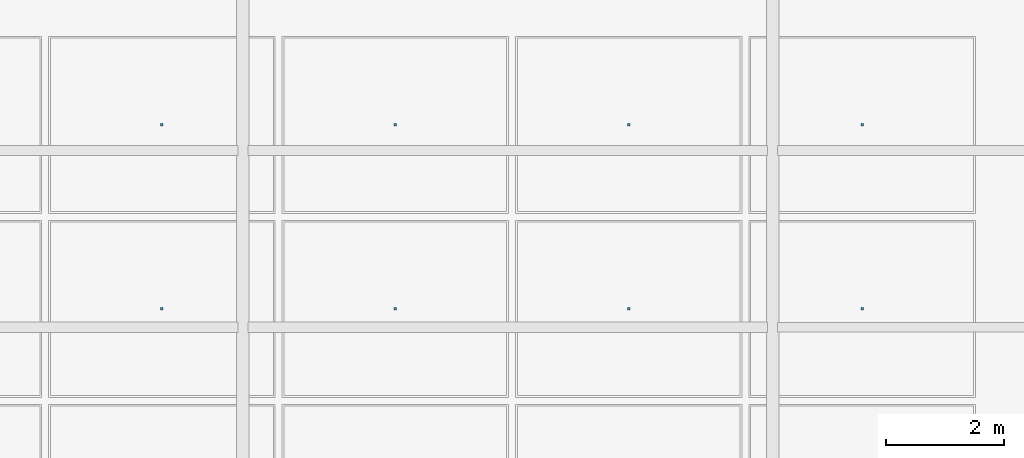
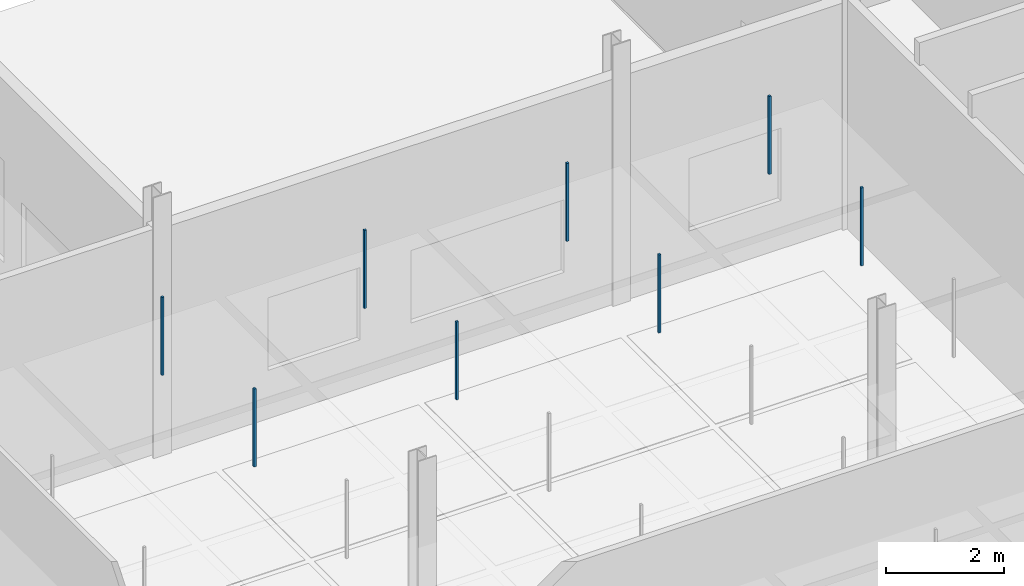
# One storey, part 144 of 180: 8 discrete accessories.
"""IFC4 building model written with IfcOpenShell, lengths in metres."""

import ifcopenshell
import ifcopenshell.guid

model = None  # the IFC model being written
_history = None  # IfcOwnerHistory: only IFC2X3 demands one
_inside = {}  # id of a spatial element -> (the spatial element, [elements in it])
_under = {}  # id of a project, library or spatial element -> (it, [spatial elements below it])
_declared = {}  # id of a project -> (the project, [libraries it declares])
_typed = {}  # id of a type object -> (the type object, [elements of that type])
_made_of = {}  # id of a material, layer set ... -> (it, [elements and type objects made of it])


def new_model(schema):
    """Start an empty IFC model of exactly this schema.

    Asked for "IFC4X3", IfcOpenShell would pick the latest addendum, in which some entities
    have other attributes; the version numbers below select the first issue.
    IFC2X3 requires an IfcOwnerHistory on every rooted entity: one is made here for all.
    """
    global model, _history
    if schema == "IFC4X3":
        model = ifcopenshell.file(schema_version=(4, 3, 0, 0))
    else:
        model = ifcopenshell.file(schema=schema)
    _inside.clear()
    _under.clear()
    _declared.clear()
    _typed.clear()
    _made_of.clear()
    _history = None
    if model.schema == "IFC2X3":
        org = make("IfcOrganization", Name="unknown")
        user = make(
            "IfcPersonAndOrganization",
            ThePerson=make("IfcPerson", FamilyName="unknown"),
            TheOrganization=org,
        )
        app = make(
            "IfcApplication",
            ApplicationDeveloper=org,
            Version="unknown",
            ApplicationFullName="unknown",
            ApplicationIdentifier="unknown",
        )
        _history = make(
            "IfcOwnerHistory",
            OwningUser=user,
            OwningApplication=app,
            ChangeAction="ADDED",
            CreationDate=0,
        )
    return model


def make(cls, **values):
    """One entity of the class cls with the attributes given. An attribute that is None is left unset."""
    return model.create_entity(
        cls, **{name: value for name, value in values.items() if value is not None}
    )


def rooted(cls, **values):
    """An entity with a GlobalId (a new one), such as an element, a storey or a relation."""
    return make(cls, GlobalId=ifcopenshell.guid.new(), OwnerHistory=_history, **values)


def si_unit(unit_type, name, prefix=None):
    """IfcSIUnit, for example si_unit("LENGTHUNIT", "METRE", prefix="MILLI")."""
    return make("IfcSIUnit", UnitType=unit_type, Prefix=prefix, Name=name)


def assignment(units):
    """IfcUnitAssignment: the units of a project."""
    return None if units is None else make("IfcUnitAssignment", Units=units)


def point(xyz):
    """IfcCartesianPoint."""
    return None if xyz is None else make("IfcCartesianPoint", Coordinates=xyz)


def direction(xyz):
    """IfcDirection."""
    return None if xyz is None else make("IfcDirection", DirectionRatios=xyz)


def frame(location, z_axis=None, x_axis=None):
    """IfcAxis2Placement3D, a coordinate frame: its origin and axes. An axis left out is left unset."""
    return make(
        "IfcAxis2Placement3D",
        Location=point(location),
        Axis=direction(z_axis),
        RefDirection=direction(x_axis),
    )


def frame_2d(location, x_axis=None):
    """IfcAxis2Placement2D, a coordinate frame in the plane: its origin and x axis."""
    return make(
        "IfcAxis2Placement2D", Location=point(location), RefDirection=direction(x_axis)
    )


def origin():
    """The frame at (0, 0, 0) with its axes left unset."""
    return frame((0.0, 0.0, 0.0))


def origin_2d():
    """The frame at (0, 0) in the plane with its x axis left unset."""
    return frame_2d((0.0, 0.0))


def place(relative_to, where):
    """IfcLocalPlacement: puts the frame where relative to a parent placement (None: the world)."""
    return make(
        "IfcLocalPlacement", PlacementRelTo=relative_to, RelativePlacement=where
    )


def context(
    kind, dimensions, precision=None, world=None, true_north=None, identifier=None
):
    """IfcGeometricRepresentationContext, for example the 3D "Model" context."""
    return make(
        "IfcGeometricRepresentationContext",
        ContextIdentifier=identifier,
        ContextType=kind,
        CoordinateSpaceDimension=dimensions,
        Precision=precision,
        WorldCoordinateSystem=world,
        TrueNorth=true_north,
    )


def subcontext(parent, identifier, kind, view, scale=None):
    """IfcGeometricRepresentationSubContext, for example "Body" below "Model"."""
    return make(
        "IfcGeometricRepresentationSubContext",
        ContextIdentifier=identifier,
        ContextType=kind,
        ParentContext=parent,
        TargetScale=scale,
        TargetView=view,
    )


def project(units=None, contexts=None):
    """IfcProject with its units and contexts."""
    return rooted(
        "IfcProject",
        Name="project",
        RepresentationContexts=contexts,
        UnitsInContext=assignment(units),
    )


def spatial(cls, under=None, at=None, **own):
    """A site, building, storey or space (cls), placed at a placement, below another one or the project."""
    s = rooted(cls, ObjectPlacement=at, **own)
    if under is not None:
        _under.setdefault(under.id(), (under, []))[1].append(s)
    return s


def profile(cls, at=None, kind="AREA", **sizes):
    """A parametric profile (cls). Its sizes go by their IFC names, for example OverallWidth=200.0."""
    return make(cls, ProfileType=kind, Position=at, **sizes)


def rectangle(**sizes):
    """IfcRectangleProfileDef."""
    return profile("IfcRectangleProfileDef", **sizes)


def extrude(swept, where, along, depth):
    """IfcExtrudedAreaSolid: the profile swept, set in the frame where, extruded along a direction by depth."""
    return make(
        "IfcExtrudedAreaSolid",
        SweptArea=swept,
        Position=where,
        ExtrudedDirection=direction(along),
        Depth=depth,
    )


def shape(context_of_items, identifier, shape_type, items):
    """IfcShapeRepresentation: the items that make up one representation, for example the "Body"."""
    return make(
        "IfcShapeRepresentation",
        ContextOfItems=context_of_items,
        RepresentationIdentifier=identifier,
        RepresentationType=shape_type,
        Items=items,
    )


def material(Name=None, Category=None):
    """IfcMaterial."""
    return make("IfcMaterial", Name=Name, Category=Category)


def made_of(thing, what):
    """Note that an element or type object is made of a material, layer set ...; save() writes the relation."""
    if what is not None:
        _made_of.setdefault(what.id(), (what, []))[1].append(thing)
    return thing


def type_object(cls, material=None, **own):
    """A type object (cls), such as IfcWallType, which elements share."""
    return made_of(rooted(cls, **own), material)


def element(
    cls,
    number,
    at=None,
    inside=None,
    cuts=None,
    type_object=None,
    material=None,
    context=None,
    identifier="Body",
    shape_type=None,
    held_by="IfcProductDefinitionShape",
    body=None,
    shapes=None,
    **own,
):
    """One element of the class cls, such as IfcWall. Its Tag is "e" and its number.

    at: its placement. inside: the storey or other place that contains it. cuts: it is an
    opening in that element (IfcRelVoidsElement). A single representation is given by context,
    identifier, shape_type and body (its items); several are given by shapes. held_by: the class
    of the entity that holds the representations. save() writes the other relations.
    """
    e = rooted(cls, Tag="e%d" % number, ObjectPlacement=at, **own)
    if body is not None:
        shapes = [shape(context, identifier, shape_type, body)]
    if shapes is not None:
        e.Representation = make(held_by, Representations=shapes)
    if inside is not None:
        _inside.setdefault(inside.id(), (inside, []))[1].append(e)
    if cuts is not None:
        rooted(
            "IfcRelVoidsElement", RelatingBuildingElement=cuts, RelatedOpeningElement=e
        )
    if type_object is not None:
        _typed.setdefault(type_object.id(), (type_object, []))[1].append(e)
    return made_of(e, material)


def aggregate(whole, parts):
    """IfcRelAggregates: a whole, such as a stair, and the parts it consists of."""
    return rooted("IfcRelAggregates", RelatingObject=whole, RelatedObjects=parts)


def save(model, path):
    """Write the relations noted so far, then the file.

    IfcRelAggregates (storeys below a building ...), IfcRelContainedInSpatialStructure (elements
    in a storey), IfcRelDefinesByType, IfcRelAssociatesMaterial and IfcRelDeclares: one each for
    every whole, place, type object, material and project.
    """
    for whole, parts in _under.values():
        aggregate(whole, parts)
    for where, things in _inside.values():
        rooted(
            "IfcRelContainedInSpatialStructure",
            RelatedElements=things,
            RelatingStructure=where,
        )
    for kind, things in _typed.values():
        rooted("IfcRelDefinesByType", RelatedObjects=things, RelatingType=kind)
    for what, things in _made_of.values():
        rooted("IfcRelAssociatesMaterial", RelatedObjects=things, RelatingMaterial=what)
    for by, libraries in _declared.values():
        rooted("IfcRelDeclares", RelatingContext=by, RelatedDefinitions=libraries)
    model.write(path)


model = new_model("IFC4")

# Units and contexts
model_context = context("Model", 3, precision=1e-05, world=origin(), true_north=direction((0.0, 1.0)))
body_context = subcontext(model_context, "Body", "Model", "MODEL_VIEW")
ifc_project = project(units=[si_unit("LENGTHUNIT", "METRE"), si_unit("AREAUNIT", "SQUARE_METRE"), si_unit("VOLUMEUNIT", "CUBIC_METRE"), si_unit("PLANEANGLEUNIT", "RADIAN"), si_unit("MASSUNIT", "GRAM", prefix="KILO"), si_unit("THERMODYNAMICTEMPERATUREUNIT", "KELVIN"), si_unit("POWERUNIT", "WATT")], contexts=[model_context])

# Site, building, storey
site_placement = place(None, origin())
site = spatial("IfcSite", under=ifc_project, at=site_placement, CompositionType="ELEMENT")
building_placement = place(site_placement, origin())
building = spatial("IfcBuilding", under=site, at=building_placement, Name="Tallowbark Science Centre", CompositionType="ELEMENT")
storey_placement = place(building_placement, origin())
storey = spatial("IfcBuildingStorey", under=building, at=storey_placement, Name="L00", CompositionType="ELEMENT", Elevation=0.0)

# Discrete accessories
ifc_material = material(Name="Galvanised Steel Grade C350L0 (350 MPa)", Category="steel")
discrete_accessory_type = type_object("IfcDiscreteAccessoryType", Name="ACC-CLG-HNG", PredefinedType="BRACKET", material=ifc_material)
for number, where, z_axis, x_axis, name in (
    (1, (97.625, 93.3125, 3.60498046875), (0.0, 0.0, 1.0), (1.0, 0.0, 0.0), "Ceiling Hanger Bracket L00-371"),
    (2, (97.625, 96.4375, 3.60498046875), (0.0, 0.0, 1.0), (1.0, 0.0, 0.0), "Ceiling Hanger Bracket L00-372"),
    (3, (101.58935546875, 93.3125, 3.60498046875), (0.0, 0.0, 1.0), (1.0, 0.0, 0.0), "Ceiling Hanger Bracket L00-379"),
    (4, (101.58935546875, 96.4375, 3.60498046875), (0.0, 0.0, 1.0), (1.0, 0.0, 0.0), "Ceiling Hanger Bracket L00-380"),
    (5, (105.5537109375, 93.3125, 3.60498046875), (0.0, 0.0, 1.0), (1.0, 0.0, 0.0), "Ceiling Hanger Bracket L00-387"),
    (6, (105.5537109375, 96.4375, 3.60498046875), (0.0, 0.0, 1.0), (1.0, 0.0, 0.0), "Ceiling Hanger Bracket L00-388"),
    (7, (109.517822265625, 93.3125, 3.60498046875), (0.0, 0.0, 1.0), (1.0, 0.0, 0.0), "Ceiling Hanger Bracket L00-395"),
    (8, (109.517822265625, 96.4375, 3.60498046875), (0.0, 0.0, 1.0), (1.0, 0.0, 0.0), "Ceiling Hanger Bracket L00-396"),
):
    element("IfcDiscreteAccessory", number, at=place(storey_placement, frame(where, z_axis=z_axis, x_axis=x_axis)), inside=storey, type_object=discrete_accessory_type, Name=name, PredefinedType="BRACKET", context=body_context, shape_type="SweptSolid", body=[
        extrude(rectangle(XDim=0.044921875, YDim=0.044921875, at=origin_2d()), origin(), (0.0, 0.0, 1.0), 1.617919921875),
    ])

save(model, "model.ifc")
